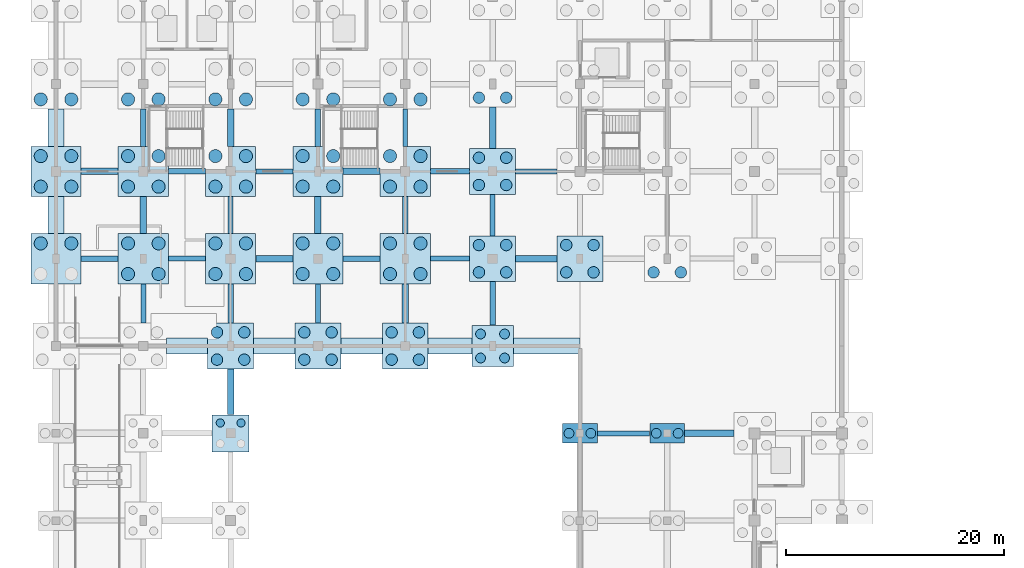
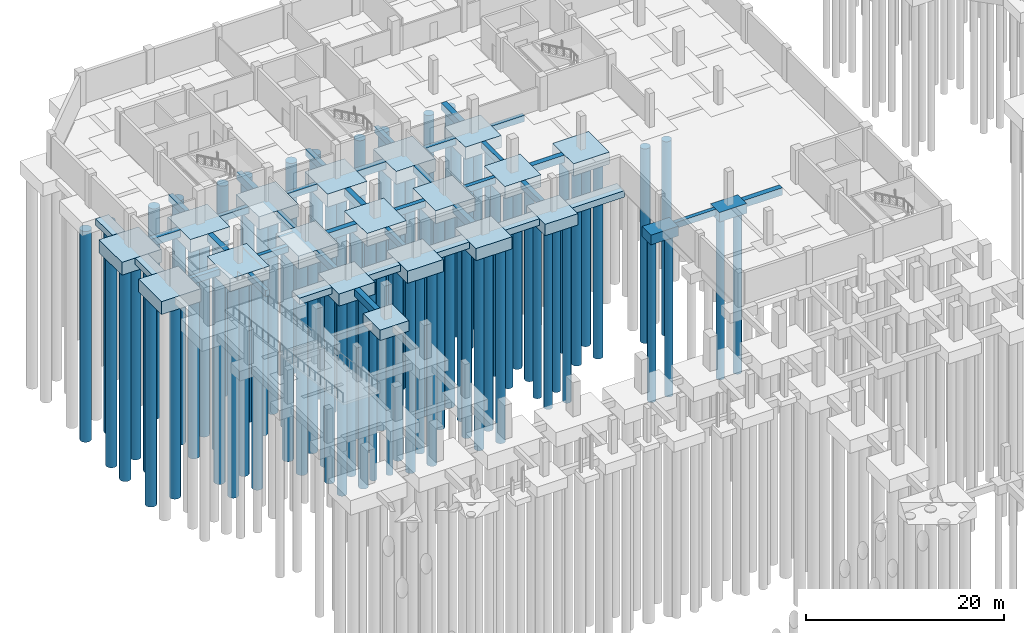
# One storey, part 5 of 32: 86 piles, 57 footings.
"""IFC4 building model written with IfcOpenShell, lengths in metres."""

import ifcopenshell
import ifcopenshell.guid

model = None  # the IFC model being written
_history = None  # IfcOwnerHistory: only IFC2X3 demands one
_inside = {}  # id of a spatial element -> (the spatial element, [elements in it])
_under = {}  # id of a project, library or spatial element -> (it, [spatial elements below it])
_declared = {}  # id of a project -> (the project, [libraries it declares])
_typed = {}  # id of a type object -> (the type object, [elements of that type])
_made_of = {}  # id of a material, layer set ... -> (it, [elements and type objects made of it])


def new_model(schema):
    """Start an empty IFC model of exactly this schema.

    Asked for "IFC4X3", IfcOpenShell would pick the latest addendum, in which some entities
    have other attributes; the version numbers below select the first issue.
    IFC2X3 requires an IfcOwnerHistory on every rooted entity: one is made here for all.
    """
    global model, _history
    if schema == "IFC4X3":
        model = ifcopenshell.file(schema_version=(4, 3, 0, 0))
    else:
        model = ifcopenshell.file(schema=schema)
    _inside.clear()
    _under.clear()
    _declared.clear()
    _typed.clear()
    _made_of.clear()
    _history = None
    if model.schema == "IFC2X3":
        org = make("IfcOrganization", Name="unknown")
        user = make(
            "IfcPersonAndOrganization",
            ThePerson=make("IfcPerson", FamilyName="unknown"),
            TheOrganization=org,
        )
        app = make(
            "IfcApplication",
            ApplicationDeveloper=org,
            Version="unknown",
            ApplicationFullName="unknown",
            ApplicationIdentifier="unknown",
        )
        _history = make(
            "IfcOwnerHistory",
            OwningUser=user,
            OwningApplication=app,
            ChangeAction="ADDED",
            CreationDate=0,
        )
    return model


def make(cls, **values):
    """One entity of the class cls with the attributes given. An attribute that is None is left unset."""
    return model.create_entity(
        cls, **{name: value for name, value in values.items() if value is not None}
    )


def rooted(cls, **values):
    """An entity with a GlobalId (a new one), such as an element, a storey or a relation."""
    return make(cls, GlobalId=ifcopenshell.guid.new(), OwnerHistory=_history, **values)


def si_unit(unit_type, name, prefix=None):
    """IfcSIUnit, for example si_unit("LENGTHUNIT", "METRE", prefix="MILLI")."""
    return make("IfcSIUnit", UnitType=unit_type, Prefix=prefix, Name=name)


def assignment(units):
    """IfcUnitAssignment: the units of a project."""
    return None if units is None else make("IfcUnitAssignment", Units=units)


def point(xyz):
    """IfcCartesianPoint."""
    return None if xyz is None else make("IfcCartesianPoint", Coordinates=xyz)


def direction(xyz):
    """IfcDirection."""
    return None if xyz is None else make("IfcDirection", DirectionRatios=xyz)


def frame(location, z_axis=None, x_axis=None):
    """IfcAxis2Placement3D, a coordinate frame: its origin and axes. An axis left out is left unset."""
    return make(
        "IfcAxis2Placement3D",
        Location=point(location),
        Axis=direction(z_axis),
        RefDirection=direction(x_axis),
    )


def frame_2d(location, x_axis=None):
    """IfcAxis2Placement2D, a coordinate frame in the plane: its origin and x axis."""
    return make(
        "IfcAxis2Placement2D", Location=point(location), RefDirection=direction(x_axis)
    )


def origin():
    """The frame at (0, 0, 0) with its axes left unset."""
    return frame((0.0, 0.0, 0.0))


def origin_2d():
    """The frame at (0, 0) in the plane with its x axis left unset."""
    return frame_2d((0.0, 0.0))


def place(relative_to, where):
    """IfcLocalPlacement: puts the frame where relative to a parent placement (None: the world)."""
    return make(
        "IfcLocalPlacement", PlacementRelTo=relative_to, RelativePlacement=where
    )


def context(
    kind, dimensions, precision=None, world=None, true_north=None, identifier=None
):
    """IfcGeometricRepresentationContext, for example the 3D "Model" context."""
    return make(
        "IfcGeometricRepresentationContext",
        ContextIdentifier=identifier,
        ContextType=kind,
        CoordinateSpaceDimension=dimensions,
        Precision=precision,
        WorldCoordinateSystem=world,
        TrueNorth=true_north,
    )


def subcontext(parent, identifier, kind, view, scale=None):
    """IfcGeometricRepresentationSubContext, for example "Body" below "Model"."""
    return make(
        "IfcGeometricRepresentationSubContext",
        ContextIdentifier=identifier,
        ContextType=kind,
        ParentContext=parent,
        TargetScale=scale,
        TargetView=view,
    )


def project(units=None, contexts=None):
    """IfcProject with its units and contexts."""
    return rooted(
        "IfcProject",
        Name="project",
        RepresentationContexts=contexts,
        UnitsInContext=assignment(units),
    )


def spatial(cls, under=None, at=None, **own):
    """A site, building, storey or space (cls), placed at a placement, below another one or the project."""
    s = rooted(cls, ObjectPlacement=at, **own)
    if under is not None:
        _under.setdefault(under.id(), (under, []))[1].append(s)
    return s


def polyline(points):
    """IfcPolyline through the points."""
    return make("IfcPolyline", Points=[point(p) for p in points])


def profile(cls, at=None, kind="AREA", **sizes):
    """A parametric profile (cls). Its sizes go by their IFC names, for example OverallWidth=200.0."""
    return make(cls, ProfileType=kind, Position=at, **sizes)


def rectangle(**sizes):
    """IfcRectangleProfileDef."""
    return profile("IfcRectangleProfileDef", **sizes)


def circle(**sizes):
    """IfcCircleProfileDef."""
    return profile("IfcCircleProfileDef", **sizes)


def outline(outer, holes=None, kind="AREA"):
    """IfcArbitraryClosedProfileDef: a profile drawn as a closed curve; with holes, ...WithVoids."""
    if holes is None:
        return make("IfcArbitraryClosedProfileDef", ProfileType=kind, OuterCurve=outer)
    return make(
        "IfcArbitraryProfileDefWithVoids",
        ProfileType=kind,
        OuterCurve=outer,
        InnerCurves=holes,
    )


def extrude(swept, where, along, depth):
    """IfcExtrudedAreaSolid: the profile swept, set in the frame where, extruded along a direction by depth."""
    return make(
        "IfcExtrudedAreaSolid",
        SweptArea=swept,
        Position=where,
        ExtrudedDirection=direction(along),
        Depth=depth,
    )


def shape(context_of_items, identifier, shape_type, items):
    """IfcShapeRepresentation: the items that make up one representation, for example the "Body"."""
    return make(
        "IfcShapeRepresentation",
        ContextOfItems=context_of_items,
        RepresentationIdentifier=identifier,
        RepresentationType=shape_type,
        Items=items,
    )


def material(Name=None, Category=None):
    """IfcMaterial."""
    return make("IfcMaterial", Name=Name, Category=Category)


def material_profile(
    of_material, cross_section, Name=None, Category=None, Priority=None
):
    """IfcMaterialProfile: a cross section and its material."""
    return make(
        "IfcMaterialProfile",
        Name=Name,
        Material=of_material,
        Profile=cross_section,
        Priority=Priority,
        Category=Category,
    )


def profile_set(profiles, Name=None, composite=None):
    """IfcMaterialProfileSet."""
    return make(
        "IfcMaterialProfileSet",
        Name=Name,
        MaterialProfiles=profiles,
        CompositeProfile=composite,
    )


def made_of(thing, what):
    """Note that an element or type object is made of a material, layer set ...; save() writes the relation."""
    if what is not None:
        _made_of.setdefault(what.id(), (what, []))[1].append(thing)
    return thing


def type_object(cls, material=None, **own):
    """A type object (cls), such as IfcWallType, which elements share."""
    return made_of(rooted(cls, **own), material)


def element(
    cls,
    number,
    at=None,
    inside=None,
    cuts=None,
    type_object=None,
    material=None,
    context=None,
    identifier="Body",
    shape_type=None,
    held_by="IfcProductDefinitionShape",
    body=None,
    shapes=None,
    **own,
):
    """One element of the class cls, such as IfcWall. Its Tag is "e" and its number.

    at: its placement. inside: the storey or other place that contains it. cuts: it is an
    opening in that element (IfcRelVoidsElement). A single representation is given by context,
    identifier, shape_type and body (its items); several are given by shapes. held_by: the class
    of the entity that holds the representations. save() writes the other relations.
    """
    e = rooted(cls, Tag="e%d" % number, ObjectPlacement=at, **own)
    if body is not None:
        shapes = [shape(context, identifier, shape_type, body)]
    if shapes is not None:
        e.Representation = make(held_by, Representations=shapes)
    if inside is not None:
        _inside.setdefault(inside.id(), (inside, []))[1].append(e)
    if cuts is not None:
        rooted(
            "IfcRelVoidsElement", RelatingBuildingElement=cuts, RelatedOpeningElement=e
        )
    if type_object is not None:
        _typed.setdefault(type_object.id(), (type_object, []))[1].append(e)
    return made_of(e, material)


def aggregate(whole, parts):
    """IfcRelAggregates: a whole, such as a stair, and the parts it consists of."""
    return rooted("IfcRelAggregates", RelatingObject=whole, RelatedObjects=parts)


def save(model, path):
    """Write the relations noted so far, then the file.

    IfcRelAggregates (storeys below a building ...), IfcRelContainedInSpatialStructure (elements
    in a storey), IfcRelDefinesByType, IfcRelAssociatesMaterial and IfcRelDeclares: one each for
    every whole, place, type object, material and project.
    """
    for whole, parts in _under.values():
        aggregate(whole, parts)
    for where, things in _inside.values():
        rooted(
            "IfcRelContainedInSpatialStructure",
            RelatedElements=things,
            RelatingStructure=where,
        )
    for kind, things in _typed.values():
        rooted("IfcRelDefinesByType", RelatedObjects=things, RelatingType=kind)
    for what, things in _made_of.values():
        rooted("IfcRelAssociatesMaterial", RelatedObjects=things, RelatingMaterial=what)
    for by, libraries in _declared.values():
        rooted("IfcRelDeclares", RelatingContext=by, RelatedDefinitions=libraries)
    model.write(path)


model = new_model("IFC4")

# Units and contexts
model_context = context("Model", 3, precision=1e-05, world=origin(), true_north=direction((0.0, 1.0)))
body_context = subcontext(model_context, "Body", "Model", "MODEL_VIEW")
ifc_project = project(units=[si_unit("LENGTHUNIT", "METRE"), si_unit("AREAUNIT", "SQUARE_METRE"), si_unit("VOLUMEUNIT", "CUBIC_METRE"), si_unit("PLANEANGLEUNIT", "RADIAN"), si_unit("MASSUNIT", "GRAM", prefix="KILO")], contexts=[model_context])

# Site, building, storey
site_placement = place(None, origin())
site = spatial("IfcSite", under=ifc_project, at=site_placement, CompositionType="ELEMENT")
building_placement = place(site_placement, origin())
building = spatial("IfcBuilding", under=site, at=building_placement, Name="Tenunan Teduh Sports Hall", CompositionType="ELEMENT")
storey_placement = place(building_placement, frame((0.0, 0.0, -4.199951171875)))
storey = spatial("IfcBuildingStorey", under=building, at=storey_placement, Name="B1", CompositionType="ELEMENT", Elevation=-4.199951171875)

# Footings
ifc_material_1 = material(Name="Concrete C40/50", Category="concrete")
ifc_material_profile_1 = material_profile(ifc_material_1, rectangle(XDim=0.449951171875, YDim=0.75, at=origin_2d()), Name="RCB 450x750")
ifc_profile_set_1 = profile_set([ifc_material_profile_1], Name="Concrete C40/50")
footing_type_1 = type_object("IfcFootingType", Name="GB-450x750", PredefinedType="FOOTING_BEAM", material=ifc_profile_set_1)
footing_1_placement = place(storey_placement, frame((55.60205078125, 70.0, -0.375), z_axis=(1.0, 0.0, 0.0), x_axis=(0.0, 1.0, 0.0)))
element("IfcFooting", 1, at=footing_1_placement, inside=storey, type_object=footing_type_1, Name="FTG-GBX-092", PredefinedType="FOOTING_BEAM", context=body_context, shape_type="SweptSolid", body=[
    extrude(rectangle(XDim=0.449951171875, YDim=0.75, at=origin_2d()), origin(), (0.0, 0.0, 1.0), 4.7958984375),
])
footing_2_placement = place(storey_placement, frame((16.302001953125, 86.0, -0.375), z_axis=(1.0, 0.0, 0.0), x_axis=(0.0, 1.0, 0.0)))
element("IfcFooting", 2, at=footing_2_placement, inside=storey, type_object=footing_type_1, Name="FTG-GBX-102", PredefinedType="FOOTING_BEAM", context=body_context, shape_type="SweptSolid", body=[
    extrude(rectangle(XDim=0.449951171875, YDim=0.75, at=origin_2d()), origin(), (0.0, 0.0, 1.0), 3.39599609375),
])
footing_3_placement = place(storey_placement, frame((40.302001953125, 86.0, -0.375), z_axis=(1.0, 0.0, 0.0), x_axis=(0.0, 1.0, 0.0)))
element("IfcFooting", 3, at=footing_3_placement, inside=storey, type_object=footing_type_1, Name="FTG-GBX-105", PredefinedType="FOOTING_BEAM", context=body_context, shape_type="SweptSolid", body=[
    extrude(rectangle(XDim=0.449951171875, YDim=0.75, at=origin_2d()), origin(), (0.0, 0.0, 1.0), 3.595947265625),
])
footing_4_placement = place(storey_placement, frame((24.302001953125, 94.0, -0.375), z_axis=(1.0, 0.0, 0.0), x_axis=(0.0, 1.0, 0.0)))
element("IfcFooting", 4, at=footing_4_placement, inside=storey, type_object=footing_type_1, Name="FTG-GBX-113", PredefinedType="FOOTING_BEAM", context=body_context, shape_type="SweptSolid", body=[
    extrude(rectangle(XDim=0.449951171875, YDim=0.75, at=origin_2d()), origin(), (0.0, 0.0, 1.0), 3.39599609375),
])
footing_5_placement = place(storey_placement, frame((48.10205078125, 94.0, -0.375), z_axis=(1.0, 0.0, 0.0), x_axis=(0.0, 1.0, 0.0)))
element("IfcFooting", 5, at=footing_5_placement, inside=storey, type_object=footing_type_1, Name="FTG-GBX-116", PredefinedType="FOOTING_BEAM", context=body_context, shape_type="SweptSolid", body=[
    extrude(rectangle(XDim=0.449951171875, YDim=0.75, at=origin_2d()), origin(), (0.0, 0.0, 1.0), 3.7958984375),
])
footing_6_placement = place(storey_placement, frame((14.0, 80.10205078125, -0.375), z_axis=(0.0, 1.0, 0.0), x_axis=(-1.0, 0.0, 0.0)))
element("IfcFooting", 6, at=footing_6_placement, inside=storey, type_object=footing_type_1, Name="FTG-GBY-186", PredefinedType="FOOTING_BEAM", context=body_context, shape_type="SweptSolid", body=[
    extrude(rectangle(XDim=0.449951171875, YDim=0.75, at=origin_2d()), origin(), (0.0, 0.0, 1.0), 3.595947265625),
])
footing_7_placement = place(storey_placement, frame((22.0, 88.302001953125, -0.375), z_axis=(0.0, 1.0, 0.0), x_axis=(-1.0, 0.0, 0.0)))
element("IfcFooting", 7, at=footing_7_placement, inside=storey, type_object=footing_type_1, Name="FTG-GBY-198", PredefinedType="FOOTING_BEAM", context=body_context, shape_type="SweptSolid", body=[
    extrude(rectangle(XDim=0.449951171875, YDim=0.75, at=origin_2d()), origin(), (0.0, 0.0, 1.0), 3.39599609375),
])
footing_8_placement = place(storey_placement, frame((30.0, 80.10205078125, -0.375), z_axis=(0.0, 1.0, 0.0), x_axis=(-1.0, 0.0, 0.0)))
element("IfcFooting", 8, at=footing_8_placement, inside=storey, type_object=footing_type_1, Name="FTG-GBY-204", PredefinedType="FOOTING_BEAM", context=body_context, shape_type="SweptSolid", body=[
    extrude(rectangle(XDim=0.449951171875, YDim=0.75, at=origin_2d()), origin(), (0.0, 0.0, 1.0), 3.595947265625),
])
footing_9_placement = place(storey_placement, frame((38.0, 96.302001953125, -0.375), z_axis=(0.0, 1.0, 0.0), x_axis=(-1.0, 0.0, 0.0)))
element("IfcFooting", 9, at=footing_9_placement, inside=storey, type_object=footing_type_1, Name="FTG-GBY-213", PredefinedType="FOOTING_BEAM", context=body_context, shape_type="SweptSolid", body=[
    extrude(rectangle(XDim=0.449951171875, YDim=0.75, at=origin_2d()), origin(), (0.0, 0.0, 1.0), 3.39599609375),
])
footing_10_placement = place(storey_placement, frame((46.0, 88.10205078125, -0.375), z_axis=(0.0, 1.0, 0.0), x_axis=(-1.0, 0.0, 0.0)))
element("IfcFooting", 10, at=footing_10_placement, inside=storey, type_object=footing_type_1, Name="FTG-GBY-219", PredefinedType="FOOTING_BEAM", context=body_context, shape_type="SweptSolid", body=[
    extrude(rectangle(XDim=0.449951171875, YDim=0.75, at=origin_2d()), origin(), (0.0, 0.0, 1.0), 3.7958984375),
])
ifc_material_2 = material(Name="Concrete C40/50", Category="concrete")
ifc_material_profile_2 = material_profile(ifc_material_2, rectangle(XDim=0.5, YDim=0.800048828125, at=origin_2d()), Name="RCB 500x800")
ifc_profile_set_2 = profile_set([ifc_material_profile_2], Name="Concrete C40/50")
footing_type_2 = type_object("IfcFootingType", Name="GB-500x800", PredefinedType="FOOTING_BEAM", material=ifc_profile_set_2)
for number, where, z_axis, x_axis, name in (
    (11, (8.302001953125, 86.0, -0.400146484375), (1.0, 0.0, 0.0), (0.0, 1.0, 0.0), "FTG-GBX-101"),
    (12, (32.302001953125, 86.0, -0.400146484375), (1.0, 0.0, 0.0), (0.0, 1.0, 0.0), "FTG-GBX-104"),
    (13, (16.302001953125, 94.0, -0.400146484375), (1.0, 0.0, 0.0), (0.0, 1.0, 0.0), "FTG-GBX-112"),
):
    element("IfcFooting", number, at=place(storey_placement, frame(where, z_axis=z_axis, x_axis=x_axis)), inside=storey, type_object=footing_type_2, Name=name, PredefinedType="FOOTING_BEAM", context=body_context, shape_type="SweptSolid", body=[
        extrude(rectangle(XDim=0.5, YDim=0.800048828125, at=origin_2d()), origin(), (0.0, 0.0, 1.0), 3.39599609375),
    ])
footing_11_placement = place(storey_placement, frame((40.302001953125, 94.0, -0.400146484375), z_axis=(1.0, 0.0, 0.0), x_axis=(0.0, 1.0, 0.0)))
element("IfcFooting", 14, at=footing_11_placement, inside=storey, type_object=footing_type_2, Name="FTG-GBX-115", PredefinedType="FOOTING_BEAM", context=body_context, shape_type="SweptSolid", body=[
    extrude(rectangle(XDim=0.5, YDim=0.800048828125, at=origin_2d()), origin(), (0.0, 0.0, 1.0), 3.595947265625),
])
footing_12_placement = place(storey_placement, frame((14.0, 96.302001953125, -0.400146484375), z_axis=(0.0, 1.0, 0.0), x_axis=(-1.0, 0.0, 0.0)))
element("IfcFooting", 15, at=footing_12_placement, inside=storey, type_object=footing_type_2, Name="FTG-GBY-188", PredefinedType="FOOTING_BEAM", context=body_context, shape_type="SweptSolid", body=[
    extrude(rectangle(XDim=0.5, YDim=0.800048828125, at=origin_2d()), origin(), (0.0, 0.0, 1.0), 3.39599609375),
])
footing_13_placement = place(storey_placement, frame((22.0, 80.10205078125, -0.400146484375), z_axis=(0.0, 1.0, 0.0), x_axis=(-1.0, 0.0, 0.0)))
element("IfcFooting", 16, at=footing_13_placement, inside=storey, type_object=footing_type_2, Name="FTG-GBY-197", PredefinedType="FOOTING_BEAM", context=body_context, shape_type="SweptSolid", body=[
    extrude(rectangle(XDim=0.5, YDim=0.800048828125, at=origin_2d()), origin(), (0.0, 0.0, 1.0), 3.595947265625),
])
for number, where, z_axis, x_axis, name in (
    (17, (30.0, 96.302001953125, -0.400146484375), (0.0, 1.0, 0.0), (-1.0, 0.0, 0.0), "FTG-GBY-206"),
    (18, (38.0, 88.302001953125, -0.400146484375), (0.0, 1.0, 0.0), (-1.0, 0.0, 0.0), "FTG-GBY-212"),
):
    element("IfcFooting", number, at=place(storey_placement, frame(where, z_axis=z_axis, x_axis=x_axis)), inside=storey, type_object=footing_type_2, Name=name, PredefinedType="FOOTING_BEAM", context=body_context, shape_type="SweptSolid", body=[
        extrude(rectangle(XDim=0.5, YDim=0.800048828125, at=origin_2d()), origin(), (0.0, 0.0, 1.0), 3.39599609375),
    ])
footing_14_placement = place(storey_placement, frame((46.0, 79.902099609375, -0.400146484375), z_axis=(0.0, 1.0, 0.0), x_axis=(-1.0, 0.0, 0.0)))
element("IfcFooting", 19, at=footing_14_placement, inside=storey, type_object=footing_type_2, Name="FTG-GBY-218", PredefinedType="FOOTING_BEAM", context=body_context, shape_type="SweptSolid", body=[
    extrude(rectangle(XDim=0.5, YDim=0.800048828125, at=origin_2d()), origin(), (0.0, 0.0, 1.0), 3.995849609375),
])
ifc_material_3 = material(Name="Concrete C40/50", Category="concrete")
ifc_material_profile_3 = material_profile(ifc_material_3, rectangle(XDim=0.60009765625, YDim=0.89990234375, at=origin_2d()), Name="RCB 600x900")
ifc_profile_set_3 = profile_set([ifc_material_profile_3], Name="Concrete C40/50")
footing_type_3 = type_object("IfcFootingType", Name="GB-600x900", PredefinedType="FOOTING_BEAM", material=ifc_profile_set_3)
footing_15_placement = place(storey_placement, frame((63.60205078125, 70.0, -0.449951171875), z_axis=(1.0, 0.0, 0.0), x_axis=(0.0, 1.0, 0.0)))
element("IfcFooting", 20, at=footing_15_placement, inside=storey, type_object=footing_type_3, Name="FTG-GBX-093", PredefinedType="FOOTING_BEAM", context=body_context, shape_type="SweptSolid", body=[
    extrude(rectangle(XDim=0.60009765625, YDim=0.89990234375, at=origin_2d()), origin(), (0.0, 0.0, 1.0), 4.495849609375),
])
footing_16_placement = place(storey_placement, frame((24.302001953125, 86.0, -0.449951171875), z_axis=(1.0, 0.0, 0.0), x_axis=(0.0, 1.0, 0.0)))
element("IfcFooting", 21, at=footing_16_placement, inside=storey, type_object=footing_type_3, Name="FTG-GBX-103", PredefinedType="FOOTING_BEAM", context=body_context, shape_type="SweptSolid", body=[
    extrude(rectangle(XDim=0.60009765625, YDim=0.89990234375, at=origin_2d()), origin(), (0.0, 0.0, 1.0), 3.39599609375),
])
footing_17_placement = place(storey_placement, frame((48.10205078125, 86.0, -0.449951171875), z_axis=(1.0, 0.0, 0.0), x_axis=(0.0, 1.0, 0.0)))
element("IfcFooting", 22, at=footing_17_placement, inside=storey, type_object=footing_type_3, Name="FTG-GBX-106", PredefinedType="FOOTING_BEAM", context=body_context, shape_type="SweptSolid", body=[
    extrude(rectangle(XDim=0.60009765625, YDim=0.89990234375, at=origin_2d()), origin(), (0.0, 0.0, 1.0), 3.7958984375),
])
for number, where, z_axis, x_axis, name in (
    (23, (8.302001953125, 94.0, -0.449951171875), (1.0, 0.0, 0.0), (0.0, 1.0, 0.0), "FTG-GBX-111"),
    (24, (32.302001953125, 94.0, -0.449951171875), (1.0, 0.0, 0.0), (0.0, 1.0, 0.0), "FTG-GBX-114"),
    (25, (14.0, 88.302001953125, -0.449951171875), (0.0, 1.0, 0.0), (-1.0, 0.0, 0.0), "FTG-GBY-187"),
):
    element("IfcFooting", number, at=place(storey_placement, frame(where, z_axis=z_axis, x_axis=x_axis)), inside=storey, type_object=footing_type_3, Name=name, PredefinedType="FOOTING_BEAM", context=body_context, shape_type="SweptSolid", body=[
        extrude(rectangle(XDim=0.60009765625, YDim=0.89990234375, at=origin_2d()), origin(), (0.0, 0.0, 1.0), 3.39599609375),
    ])
footing_18_placement = place(storey_placement, frame((22.0, 71.701904296875, -0.449951171875), z_axis=(0.0, 1.0, 0.0), x_axis=(-1.0, 0.0, 0.0)))
element("IfcFooting", 26, at=footing_18_placement, inside=storey, type_object=footing_type_3, Name="FTG-GBY-196", PredefinedType="FOOTING_BEAM", context=body_context, shape_type="SweptSolid", body=[
    extrude(rectangle(XDim=0.60009765625, YDim=0.89990234375, at=origin_2d()), origin(), (0.0, 0.0, 1.0), 4.196044921875),
])
for number, where, z_axis, x_axis, name in (
    (27, (22.0, 96.302001953125, -0.449951171875), (0.0, 1.0, 0.0), (-1.0, 0.0, 0.0), "FTG-GBY-199"),
    (28, (30.0, 88.302001953125, -0.449951171875), (0.0, 1.0, 0.0), (-1.0, 0.0, 0.0), "FTG-GBY-205"),
):
    element("IfcFooting", number, at=place(storey_placement, frame(where, z_axis=z_axis, x_axis=x_axis)), inside=storey, type_object=footing_type_3, Name=name, PredefinedType="FOOTING_BEAM", context=body_context, shape_type="SweptSolid", body=[
        extrude(rectangle(XDim=0.60009765625, YDim=0.89990234375, at=origin_2d()), origin(), (0.0, 0.0, 1.0), 3.39599609375),
    ])
footing_19_placement = place(storey_placement, frame((38.0, 80.10205078125, -0.449951171875), z_axis=(0.0, 1.0, 0.0), x_axis=(-1.0, 0.0, 0.0)))
element("IfcFooting", 29, at=footing_19_placement, inside=storey, type_object=footing_type_3, Name="FTG-GBY-211", PredefinedType="FOOTING_BEAM", context=body_context, shape_type="SweptSolid", body=[
    extrude(rectangle(XDim=0.60009765625, YDim=0.89990234375, at=origin_2d()), origin(), (0.0, 0.0, 1.0), 3.595947265625),
])
footing_20_placement = place(storey_placement, frame((46.0, 96.10205078125, -0.449951171875), z_axis=(0.0, 1.0, 0.0), x_axis=(-1.0, 0.0, 0.0)))
element("IfcFooting", 30, at=footing_20_placement, inside=storey, type_object=footing_type_3, Name="FTG-GBY-220", PredefinedType="FOOTING_BEAM", context=body_context, shape_type="SweptSolid", body=[
    extrude(rectangle(XDim=0.60009765625, YDim=0.89990234375, at=origin_2d()), origin(), (0.0, 0.0, 1.0), 3.7958984375),
])
ifc_material_4 = material(Name="Concrete C40/50", Category="concrete")
footing_type_4 = type_object("IfcFootingType", Name="PC-2B", PredefinedType="PILE_CAP", material=ifc_material_4)
for number, where, z_axis, x_axis, name in (
    (31, (54.0, 70.0, -1.2001953125), (0.0, 0.0, 1.0), (1.0, 0.0, 0.0), "FTG-PC-079"),
    (32, (62.0, 70.0, -1.2001953125), (0.0, 0.0, 1.0), (1.0, 0.0, 0.0), "FTG-PC-091"),
):
    element("IfcFooting", number, at=place(storey_placement, frame(where, z_axis=z_axis, x_axis=x_axis)), inside=storey, type_object=footing_type_4, Name=name, PredefinedType="PILE_CAP", context=body_context, shape_type="SweptSolid", body=[
        extrude(rectangle(XDim=3.199951171875, YDim=1.800048828125, at=origin_2d()), origin(), (0.0, 0.0, 1.0), 1.199951171875),
    ])
ifc_material_5 = material(Name="Concrete C40/50", Category="concrete")
footing_type_5 = type_object("IfcFootingType", Name="PC-4A", PredefinedType="PILE_CAP", material=ifc_material_5)
footing_21_placement = place(storey_placement, frame((22.0, 70.0, -1.30029296875), z_axis=(0.0, 0.0, 1.0), x_axis=(1.0, 0.0, 0.0)))
element("IfcFooting", 33, at=footing_21_placement, inside=storey, type_object=footing_type_5, Name="FTG-PC-034", PredefinedType="PILE_CAP", context=body_context, shape_type="SweptSolid", body=[
    extrude(rectangle(XDim=3.39990234375, YDim=3.39990234375, at=origin_2d()), origin(), (0.0, 0.0, 1.0), 1.300048828125),
])
ifc_material_6 = material(Name="Concrete C40/50", Category="concrete")
footing_type_6 = type_object("IfcFootingType", Name="PC-4B", PredefinedType="PILE_CAP", material=ifc_material_6)
footing_22_placement = place(storey_placement, frame((46.0, 78.0, -1.39990234375), z_axis=(0.0, 0.0, 1.0), x_axis=(1.0, 0.0, 0.0)))
element("IfcFooting", 34, at=footing_22_placement, inside=storey, type_object=footing_type_6, Name="FTG-PC-065", PredefinedType="PILE_CAP", context=body_context, shape_type="SweptSolid", body=[
    extrude(rectangle(XDim=3.800048828125, YDim=3.800048828125, at=origin_2d()), origin(), (0.0, 0.0, 1.0), 1.39990234375),
])
ifc_material_7 = material(Name="Concrete C40/50", Category="concrete")
footing_type_7 = type_object("IfcFootingType", Name="PC-4C", PredefinedType="PILE_CAP", material=ifc_material_7)
for number, where, z_axis, x_axis, name in (
    (35, (22.0, 78.0, -1.5), (0.0, 0.0, 1.0), (1.0, 0.0, 0.0), "FTG-PC-035"),
    (36, (30.0, 78.0, -1.5), (0.0, 0.0, 1.0), (1.0, 0.0, 0.0), "FTG-PC-045"),
    (37, (38.0, 78.0, -1.5), (0.0, 0.0, 1.0), (1.0, 0.0, 0.0), "FTG-PC-055"),
    (38, (46.0, 86.0, -1.5), (0.0, 0.0, 1.0), (1.0, 0.0, 0.0), "FTG-PC-066"),
    (39, (46.0, 94.0, -1.5), (0.0, 0.0, 1.0), (1.0, 0.0, 0.0), "FTG-PC-067"),
    (40, (54.0, 86.0, -1.5), (0.0, 0.0, 1.0), (1.0, 0.0, 0.0), "FTG-PC-080"),
):
    element("IfcFooting", number, at=place(storey_placement, frame(where, z_axis=z_axis, x_axis=x_axis)), inside=storey, type_object=footing_type_7, Name=name, PredefinedType="PILE_CAP", context=body_context, shape_type="SweptSolid", body=[
        extrude(rectangle(XDim=4.199951171875, YDim=4.199951171875, at=origin_2d()), origin(), (0.0, 0.0, 1.0), 1.5),
    ])
ifc_material_8 = material(Name="Concrete C40/50", Category="concrete")
footing_type_8 = type_object("IfcFootingType", Name="PC-4D", PredefinedType="PILE_CAP", material=ifc_material_8)
for number, where, z_axis, x_axis, name in (
    (41, (6.0, 86.0, -1.60009765625), (0.0, 0.0, 1.0), (1.0, 0.0, 0.0), "FTG-PC-011"),
    (42, (6.0, 94.0, -1.60009765625), (0.0, 0.0, 1.0), (1.0, 0.0, 0.0), "FTG-PC-012"),
    (43, (14.0, 86.0, -1.60009765625), (0.0, 0.0, 1.0), (1.0, 0.0, 0.0), "FTG-PC-023"),
    (44, (14.0, 94.0, -1.60009765625), (0.0, 0.0, 1.0), (1.0, 0.0, 0.0), "FTG-PC-024"),
    (45, (22.0, 86.0, -1.60009765625), (0.0, 0.0, 1.0), (1.0, 0.0, 0.0), "FTG-PC-036"),
    (46, (22.0, 94.0, -1.60009765625), (0.0, 0.0, 1.0), (1.0, 0.0, 0.0), "FTG-PC-037"),
    (47, (30.0, 86.0, -1.60009765625), (0.0, 0.0, 1.0), (1.0, 0.0, 0.0), "FTG-PC-046"),
    (48, (30.0, 94.0, -1.60009765625), (0.0, 0.0, 1.0), (1.0, 0.0, 0.0), "FTG-PC-047"),
    (49, (38.0, 86.0, -1.60009765625), (0.0, 0.0, 1.0), (1.0, 0.0, 0.0), "FTG-PC-056"),
    (50, (38.0, 94.0, -1.60009765625), (0.0, 0.0, 1.0), (1.0, 0.0, 0.0), "FTG-PC-057"),
):
    element("IfcFooting", number, at=place(storey_placement, frame(where, z_axis=z_axis, x_axis=x_axis)), inside=storey, type_object=footing_type_8, Name=name, PredefinedType="PILE_CAP", context=body_context, shape_type="SweptSolid", body=[
        extrude(rectangle(XDim=4.60009765625, YDim=4.60009765625, at=origin_2d()), origin(), (0.0, 0.0, 1.0), 1.60009765625),
    ])

# Piles
ifc_material_9 = material(Name="Concrete C40/50", Category="concrete")
ifc_material_profile_4 = material_profile(ifc_material_9, circle(Radius=0.52490234375, at=origin_2d()), Name="PILE D1050")
ifc_profile_set_4 = profile_set([ifc_material_profile_4], Name="Concrete C40/50")
pile_type_1 = type_object("IfcPileType", Name="PILE-D1050", PredefinedType="BORED", material=ifc_profile_set_4)
for number, where, z_axis, x_axis, name in (
    (51, (20.75, 76.75, -1.400146484375), (0.0, 0.0, -1.0), (1.0, 0.0, 0.0), "PILE-PL-3-035-1"),
    (52, (23.25, 76.75, -1.400146484375), (0.0, 0.0, -1.0), (1.0, 0.0, 0.0), "PILE-PL-3-035-2"),
    (53, (20.75, 79.25, -1.400146484375), (0.0, 0.0, -1.0), (1.0, 0.0, 0.0), "PILE-PL-3-035-3"),
    (54, (23.25, 79.25, -1.400146484375), (0.0, 0.0, -1.0), (1.0, 0.0, 0.0), "PILE-PL-3-035-4"),
    (55, (28.75, 76.75, -1.400146484375), (0.0, 0.0, -1.0), (1.0, 0.0, 0.0), "PILE-PL-3-045-1"),
    (56, (31.25, 76.75, -1.400146484375), (0.0, 0.0, -1.0), (1.0, 0.0, 0.0), "PILE-PL-3-045-2"),
    (57, (28.75, 79.25, -1.400146484375), (0.0, 0.0, -1.0), (1.0, 0.0, 0.0), "PILE-PL-3-045-3"),
    (58, (31.25, 79.25, -1.400146484375), (0.0, 0.0, -1.0), (1.0, 0.0, 0.0), "PILE-PL-3-045-4"),
    (59, (36.75, 76.75, -1.400146484375), (0.0, 0.0, -1.0), (1.0, 0.0, 0.0), "PILE-PL-3-055-1"),
    (60, (39.25, 76.75, -1.400146484375), (0.0, 0.0, -1.0), (1.0, 0.0, 0.0), "PILE-PL-3-055-2"),
    (61, (36.75, 79.25, -1.400146484375), (0.0, 0.0, -1.0), (1.0, 0.0, 0.0), "PILE-PL-3-055-3"),
    (62, (39.25, 79.25, -1.400146484375), (0.0, 0.0, -1.0), (1.0, 0.0, 0.0), "PILE-PL-3-055-4"),
    (63, (44.75, 84.75, -1.400146484375), (0.0, 0.0, -1.0), (1.0, 0.0, 0.0), "PILE-PL-3-066-1"),
    (64, (47.25, 84.75, -1.400146484375), (0.0, 0.0, -1.0), (1.0, 0.0, 0.0), "PILE-PL-3-066-2"),
    (65, (44.75, 87.25, -1.400146484375), (0.0, 0.0, -1.0), (1.0, 0.0, 0.0), "PILE-PL-3-066-3"),
    (66, (47.25, 87.25, -1.400146484375), (0.0, 0.0, -1.0), (1.0, 0.0, 0.0), "PILE-PL-3-066-4"),
    (67, (44.75, 92.75, -1.400146484375), (0.0, 0.0, -1.0), (1.0, 0.0, 0.0), "PILE-PL-3-067-1"),
    (68, (47.25, 92.75, -1.400146484375), (0.0, 0.0, -1.0), (1.0, 0.0, 0.0), "PILE-PL-3-067-2"),
    (69, (44.75, 95.25, -1.400146484375), (0.0, 0.0, -1.0), (1.0, 0.0, 0.0), "PILE-PL-3-067-3"),
    (70, (47.25, 95.25, -1.400146484375), (0.0, 0.0, -1.0), (1.0, 0.0, 0.0), "PILE-PL-3-067-4"),
    (71, (44.75, 100.75, -1.400146484375), (0.0, 0.0, -1.0), (1.0, 0.0, 0.0), "PILE-PL-3-068-1"),
    (72, (47.25, 100.75, -1.400146484375), (0.0, 0.0, -1.0), (1.0, 0.0, 0.0), "PILE-PL-3-068-2"),
    (73, (52.75, 84.75, -1.400146484375), (0.0, 0.0, -1.0), (1.0, 0.0, 0.0), "PILE-PL-3-080-1"),
    (74, (55.25, 84.75, -1.400146484375), (0.0, 0.0, -1.0), (1.0, 0.0, 0.0), "PILE-PL-3-080-2"),
    (75, (52.75, 87.25, -1.400146484375), (0.0, 0.0, -1.0), (1.0, 0.0, 0.0), "PILE-PL-3-080-3"),
    (76, (55.25, 87.25, -1.400146484375), (0.0, 0.0, -1.0), (1.0, 0.0, 0.0), "PILE-PL-3-080-4"),
    (77, (60.75, 84.75, -1.400146484375), (0.0, 0.0, -1.0), (1.0, 0.0, 0.0), "PILE-PL-3-092-1"),
    (78, (63.25, 84.75, -1.400146484375), (0.0, 0.0, -1.0), (1.0, 0.0, 0.0), "PILE-PL-3-092-2"),
):
    element("IfcPile", number, at=place(storey_placement, frame(where, z_axis=z_axis, x_axis=x_axis)), inside=storey, type_object=pile_type_1, Name=name, PredefinedType="BORED", context=body_context, shape_type="SweptSolid", body=[
        extrude(circle(Radius=0.52490234375, at=origin_2d()), origin(), (0.0, 0.0, 1.0), 24.0),
    ])
ifc_material_10 = material(Name="Concrete C40/50", Category="concrete")
ifc_material_profile_5 = material_profile(ifc_material_10, circle(Radius=0.60009765625, at=origin_2d()), Name="PILE D1200")
ifc_profile_set_5 = profile_set([ifc_material_profile_5], Name="Concrete C40/50")
pile_type_2 = type_object("IfcPileType", Name="PILE-D1200", PredefinedType="BORED", material=ifc_profile_set_5)
for number, where, z_axis, x_axis, name in (
    (79, (4.60009765625, 87.39990234375, -1.5), (0.0, 0.0, -1.0), (1.0, 0.0, 0.0), "PILE-PL-4-011-3"),
    (80, (7.39990234375, 87.39990234375, -1.5), (0.0, 0.0, -1.0), (1.0, 0.0, 0.0), "PILE-PL-4-011-4"),
    (81, (4.60009765625, 92.60009765625, -1.5), (0.0, 0.0, -1.0), (1.0, 0.0, 0.0), "PILE-PL-4-012-1"),
    (82, (7.39990234375, 92.60009765625, -1.5), (0.0, 0.0, -1.0), (1.0, 0.0, 0.0), "PILE-PL-4-012-2"),
    (83, (4.60009765625, 95.39990234375, -1.5), (0.0, 0.0, -1.0), (1.0, 0.0, 0.0), "PILE-PL-4-012-3"),
    (84, (7.39990234375, 95.39990234375, -1.5), (0.0, 0.0, -1.0), (1.0, 0.0, 0.0), "PILE-PL-4-012-4"),
    (85, (4.60009765625, 100.60009765625, -1.5), (0.0, 0.0, -1.0), (1.0, 0.0, 0.0), "PILE-PL-4-013-1"),
    (86, (7.39990234375, 100.60009765625, -1.5), (0.0, 0.0, -1.0), (1.0, 0.0, 0.0), "PILE-PL-4-013-2"),
    (87, (12.60009765625, 84.60009765625, -1.5), (0.0, 0.0, -1.0), (1.0, 0.0, 0.0), "PILE-PL-4-023-1"),
    (88, (15.39990234375, 84.60009765625, -1.5), (0.0, 0.0, -1.0), (1.0, 0.0, 0.0), "PILE-PL-4-023-2"),
    (89, (12.60009765625, 87.39990234375, -1.5), (0.0, 0.0, -1.0), (1.0, 0.0, 0.0), "PILE-PL-4-023-3"),
    (90, (15.39990234375, 87.39990234375, -1.5), (0.0, 0.0, -1.0), (1.0, 0.0, 0.0), "PILE-PL-4-023-4"),
    (91, (12.60009765625, 92.60009765625, -1.5), (0.0, 0.0, -1.0), (1.0, 0.0, 0.0), "PILE-PL-4-024-1"),
    (92, (15.39990234375, 92.60009765625, -1.5), (0.0, 0.0, -1.0), (1.0, 0.0, 0.0), "PILE-PL-4-024-2"),
    (93, (12.60009765625, 95.39990234375, -1.5), (0.0, 0.0, -1.0), (1.0, 0.0, 0.0), "PILE-PL-4-024-3"),
    (94, (15.39990234375, 95.39990234375, -1.5), (0.0, 0.0, -1.0), (1.0, 0.0, 0.0), "PILE-PL-4-024-4"),
    (95, (12.60009765625, 100.60009765625, -1.5), (0.0, 0.0, -1.0), (1.0, 0.0, 0.0), "PILE-PL-4-025-1"),
    (96, (15.39990234375, 100.60009765625, -1.5), (0.0, 0.0, -1.0), (1.0, 0.0, 0.0), "PILE-PL-4-025-2"),
    (97, (20.60009765625, 84.60009765625, -1.5), (0.0, 0.0, -1.0), (1.0, 0.0, 0.0), "PILE-PL-4-036-1"),
    (98, (23.39990234375, 84.60009765625, -1.5), (0.0, 0.0, -1.0), (1.0, 0.0, 0.0), "PILE-PL-4-036-2"),
    (99, (20.60009765625, 87.39990234375, -1.5), (0.0, 0.0, -1.0), (1.0, 0.0, 0.0), "PILE-PL-4-036-3"),
    (100, (23.39990234375, 87.39990234375, -1.5), (0.0, 0.0, -1.0), (1.0, 0.0, 0.0), "PILE-PL-4-036-4"),
    (101, (20.60009765625, 92.60009765625, -1.5), (0.0, 0.0, -1.0), (1.0, 0.0, 0.0), "PILE-PL-4-037-1"),
    (102, (23.39990234375, 92.60009765625, -1.5), (0.0, 0.0, -1.0), (1.0, 0.0, 0.0), "PILE-PL-4-037-2"),
    (103, (20.60009765625, 95.39990234375, -1.5), (0.0, 0.0, -1.0), (1.0, 0.0, 0.0), "PILE-PL-4-037-3"),
    (104, (23.39990234375, 95.39990234375, -1.5), (0.0, 0.0, -1.0), (1.0, 0.0, 0.0), "PILE-PL-4-037-4"),
    (105, (20.60009765625, 100.60009765625, -1.5), (0.0, 0.0, -1.0), (1.0, 0.0, 0.0), "PILE-PL-4-038-1"),
    (106, (23.39990234375, 100.60009765625, -1.5), (0.0, 0.0, -1.0), (1.0, 0.0, 0.0), "PILE-PL-4-038-2"),
    (107, (28.60009765625, 84.60009765625, -1.5), (0.0, 0.0, -1.0), (1.0, 0.0, 0.0), "PILE-PL-4-046-1"),
    (108, (31.39990234375, 84.60009765625, -1.5), (0.0, 0.0, -1.0), (1.0, 0.0, 0.0), "PILE-PL-4-046-2"),
    (109, (28.60009765625, 87.39990234375, -1.5), (0.0, 0.0, -1.0), (1.0, 0.0, 0.0), "PILE-PL-4-046-3"),
    (110, (31.39990234375, 87.39990234375, -1.5), (0.0, 0.0, -1.0), (1.0, 0.0, 0.0), "PILE-PL-4-046-4"),
    (111, (28.60009765625, 92.60009765625, -1.5), (0.0, 0.0, -1.0), (1.0, 0.0, 0.0), "PILE-PL-4-047-1"),
    (112, (31.39990234375, 92.60009765625, -1.5), (0.0, 0.0, -1.0), (1.0, 0.0, 0.0), "PILE-PL-4-047-2"),
    (113, (28.60009765625, 95.39990234375, -1.5), (0.0, 0.0, -1.0), (1.0, 0.0, 0.0), "PILE-PL-4-047-3"),
    (114, (31.39990234375, 95.39990234375, -1.5), (0.0, 0.0, -1.0), (1.0, 0.0, 0.0), "PILE-PL-4-047-4"),
    (115, (28.60009765625, 100.60009765625, -1.5), (0.0, 0.0, -1.0), (1.0, 0.0, 0.0), "PILE-PL-4-048-1"),
    (116, (31.39990234375, 100.60009765625, -1.5), (0.0, 0.0, -1.0), (1.0, 0.0, 0.0), "PILE-PL-4-048-2"),
    (117, (36.60009765625, 84.60009765625, -1.5), (0.0, 0.0, -1.0), (1.0, 0.0, 0.0), "PILE-PL-4-056-1"),
    (118, (39.39990234375, 84.60009765625, -1.5), (0.0, 0.0, -1.0), (1.0, 0.0, 0.0), "PILE-PL-4-056-2"),
    (119, (36.60009765625, 87.39990234375, -1.5), (0.0, 0.0, -1.0), (1.0, 0.0, 0.0), "PILE-PL-4-056-3"),
    (120, (39.39990234375, 87.39990234375, -1.5), (0.0, 0.0, -1.0), (1.0, 0.0, 0.0), "PILE-PL-4-056-4"),
    (121, (36.60009765625, 92.60009765625, -1.5), (0.0, 0.0, -1.0), (1.0, 0.0, 0.0), "PILE-PL-4-057-1"),
    (122, (39.39990234375, 92.60009765625, -1.5), (0.0, 0.0, -1.0), (1.0, 0.0, 0.0), "PILE-PL-4-057-2"),
    (123, (36.60009765625, 95.39990234375, -1.5), (0.0, 0.0, -1.0), (1.0, 0.0, 0.0), "PILE-PL-4-057-3"),
    (124, (39.39990234375, 95.39990234375, -1.5), (0.0, 0.0, -1.0), (1.0, 0.0, 0.0), "PILE-PL-4-057-4"),
    (125, (36.60009765625, 100.60009765625, -1.5), (0.0, 0.0, -1.0), (1.0, 0.0, 0.0), "PILE-PL-4-058-1"),
    (126, (39.39990234375, 100.60009765625, -1.5), (0.0, 0.0, -1.0), (1.0, 0.0, 0.0), "PILE-PL-4-058-2"),
):
    element("IfcPile", number, at=place(storey_placement, frame(where, z_axis=z_axis, x_axis=x_axis)), inside=storey, type_object=pile_type_2, Name=name, PredefinedType="BORED", context=body_context, shape_type="SweptSolid", body=[
        extrude(circle(Radius=0.60009765625, at=origin_2d()), origin(), (0.0, 0.0, 1.0), 26.0),
    ])
ifc_material_11 = material(Name="Concrete C40/50", Category="concrete")
ifc_material_profile_6 = material_profile(ifc_material_11, circle(Radius=0.375, at=origin_2d()), Name="PILE D750")
ifc_profile_set_6 = profile_set([ifc_material_profile_6], Name="Concrete C40/50")
pile_type_3 = type_object("IfcPileType", Name="PILE-D750", PredefinedType="BORED", material=ifc_profile_set_6)
for number, where, z_axis, x_axis, name in (
    (127, (21.050048828125, 70.949951171875, -1.199951171875), (0.0, 0.0, -1.0), (1.0, 0.0, 0.0), "PILE-PL-1-034-3"),
    (128, (22.949951171875, 70.949951171875, -1.199951171875), (0.0, 0.0, -1.0), (1.0, 0.0, 0.0), "PILE-PL-1-034-4"),
):
    element("IfcPile", number, at=place(storey_placement, frame(where, z_axis=z_axis, x_axis=x_axis)), inside=storey, type_object=pile_type_3, Name=name, PredefinedType="BORED", context=body_context, shape_type="SweptSolid", body=[
        extrude(circle(Radius=0.375, at=origin_2d()), origin(), (0.0, 0.0, 1.0), 19.0),
    ])
ifc_material_12 = material(Name="Concrete C40/50", Category="concrete")
ifc_material_profile_7 = material_profile(ifc_material_12, circle(Radius=0.449951171875, at=origin_2d()), Name="PILE D900")
ifc_profile_set_7 = profile_set([ifc_material_profile_7], Name="Concrete C40/50")
pile_type_4 = type_object("IfcPileType", Name="PILE-D900", PredefinedType="BORED", material=ifc_profile_set_7)
for number, where, z_axis, x_axis, name in (
    (129, (44.89990234375, 76.89990234375, -1.300048828125), (0.0, 0.0, -1.0), (1.0, 0.0, 0.0), "PILE-PL-2-065-1"),
    (130, (47.10009765625, 76.89990234375, -1.300048828125), (0.0, 0.0, -1.0), (1.0, 0.0, 0.0), "PILE-PL-2-065-2"),
    (131, (44.89990234375, 79.10009765625, -1.300048828125), (0.0, 0.0, -1.0), (1.0, 0.0, 0.0), "PILE-PL-2-065-3"),
    (132, (47.10009765625, 79.10009765625, -1.300048828125), (0.0, 0.0, -1.0), (1.0, 0.0, 0.0), "PILE-PL-2-065-4"),
):
    element("IfcPile", number, at=place(storey_placement, frame(where, z_axis=z_axis, x_axis=x_axis)), inside=storey, type_object=pile_type_4, Name=name, PredefinedType="BORED", context=body_context, shape_type="SweptSolid", body=[
        extrude(circle(Radius=0.449951171875, at=origin_2d()), origin(), (0.0, 0.0, 1.0), 22.0),
    ])
for number, where, z_axis, x_axis, name in (
    (133, (53.0, 70.0, -1.10009765625), (0.0, 0.0, -1.0), (1.0, 0.0, 0.0), "PILE-PL-2-079-1"),
    (134, (55.0, 70.0, -1.10009765625), (0.0, 0.0, -1.0), (1.0, 0.0, 0.0), "PILE-PL-2-079-2"),
    (135, (61.0, 70.0, -1.10009765625), (0.0, 0.0, -1.0), (1.0, 0.0, 0.0), "PILE-PL-2-091-1"),
    (136, (63.0, 70.0, -1.10009765625), (0.0, 0.0, -1.0), (1.0, 0.0, 0.0), "PILE-PL-2-091-2"),
):
    element("IfcPile", number, at=place(storey_placement, frame(where, z_axis=z_axis, x_axis=x_axis)), inside=storey, type_object=pile_type_4, Name=name, PredefinedType="BORED", context=body_context, shape_type="SweptSolid", body=[
        extrude(circle(Radius=0.449951171875, at=origin_2d()), origin(), (0.0, 0.0, 1.0), 20.0),
    ])

# Footings
ifc_material_13 = material(Name="Concrete C40/50", Category="concrete")
footing_type_9 = type_object("IfcFootingType", Name="SF-1500x800", PredefinedType="STRIP_FOOTING", material=ifc_material_13)
footing_23_placement = place(storey_placement, frame((0.0, 0.0, -0.800048828125)))
element("IfcFooting", 137, at=footing_23_placement, inside=storey, type_object=footing_type_9, Name="FTG-SF-01-02", PredefinedType="STRIP_FOOTING", context=body_context, shape_type="SweptSolid", body=[
    extrude(outline(polyline([(16.10205078125, 77.25), (19.89794921875, 77.25), (19.89794921875, 78.75), (16.10205078125, 78.75), (16.10205078125, 77.25)])), origin(), (0.0, 0.0, 1.0), 0.800048828125),
])
footing_24_placement = place(storey_placement, frame((0.0, 0.0, -0.800048828125)))
element("IfcFooting", 138, at=footing_24_placement, inside=storey, type_object=footing_type_9, Name="FTG-SF-01-03", PredefinedType="STRIP_FOOTING", context=body_context, shape_type="SweptSolid", body=[
    extrude(outline(polyline([(24.10205078125, 77.25), (27.89794921875, 77.25), (27.89794921875, 78.75), (24.10205078125, 78.75), (24.10205078125, 77.25)])), origin(), (0.0, 0.0, 1.0), 0.800048828125),
])
footing_25_placement = place(storey_placement, frame((0.0, 0.0, -0.800048828125)))
element("IfcFooting", 139, at=footing_25_placement, inside=storey, type_object=footing_type_9, Name="FTG-SF-01-04", PredefinedType="STRIP_FOOTING", context=body_context, shape_type="SweptSolid", body=[
    extrude(outline(polyline([(32.10205078125, 77.25), (35.89794921875, 77.25), (35.89794921875, 78.75), (32.10205078125, 78.75), (32.10205078125, 77.25)])), origin(), (0.0, 0.0, 1.0), 0.800048828125),
])
footing_26_placement = place(storey_placement, frame((0.0, 0.0, -0.800048828125)))
element("IfcFooting", 140, at=footing_26_placement, inside=storey, type_object=footing_type_9, Name="FTG-SF-01-05", PredefinedType="STRIP_FOOTING", context=body_context, shape_type="SweptSolid", body=[
    extrude(outline(polyline([(40.10205078125, 77.25), (44.097900390625, 77.25), (44.097900390625, 78.75), (40.10205078125, 78.75), (40.10205078125, 77.25)])), origin(), (0.0, 0.0, 1.0), 0.800048828125),
])
footing_27_placement = place(storey_placement, frame((0.0, 0.0, -0.800048828125)))
element("IfcFooting", 141, at=footing_27_placement, inside=storey, type_object=footing_type_9, Name="FTG-SF-01-06", PredefinedType="STRIP_FOOTING", context=body_context, shape_type="SweptSolid", body=[
    extrude(outline(polyline([(47.902099609375, 77.25), (54.0, 77.25), (54.0, 78.75), (47.902099609375, 78.75), (47.902099609375, 77.25)])), origin(), (0.0, 0.0, 1.0), 0.800048828125),
])
footing_28_placement = place(storey_placement, frame((0.0, 0.0, -0.800048828125)))
element("IfcFooting", 142, at=footing_28_placement, inside=storey, type_object=footing_type_9, Name="FTG-SF-02-02", PredefinedType="STRIP_FOOTING", context=body_context, shape_type="SweptSolid", body=[
    extrude(outline(polyline([(6.75, 88.302001953125), (6.75, 91.697998046875), (5.25, 91.697998046875), (5.25, 88.302001953125), (6.75, 88.302001953125)])), origin(), (0.0, 0.0, 1.0), 0.800048828125),
])
footing_29_placement = place(storey_placement, frame((0.0, 0.0, -0.800048828125)))
element("IfcFooting", 143, at=footing_29_placement, inside=storey, type_object=footing_type_9, Name="FTG-SF-02-03", PredefinedType="STRIP_FOOTING", context=body_context, shape_type="SweptSolid", body=[
    extrude(outline(polyline([(6.75, 96.302001953125), (6.75, 99.697998046875), (5.25, 99.697998046875), (5.25, 96.302001953125), (6.75, 96.302001953125)])), origin(), (0.0, 0.0, 1.0), 0.800048828125),
])

save(model, "model.ifc")
